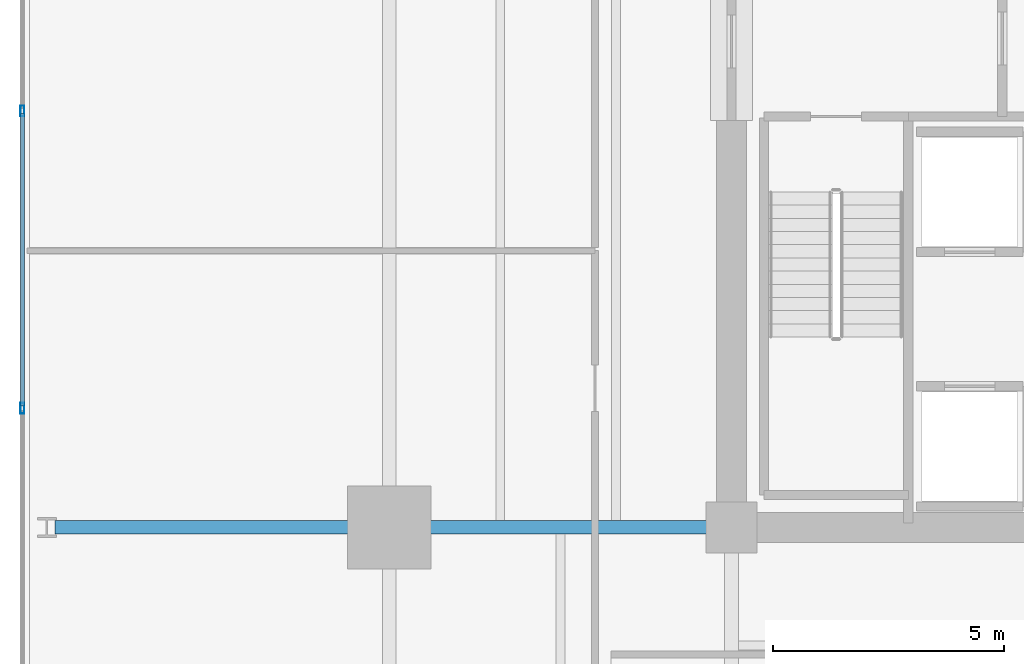
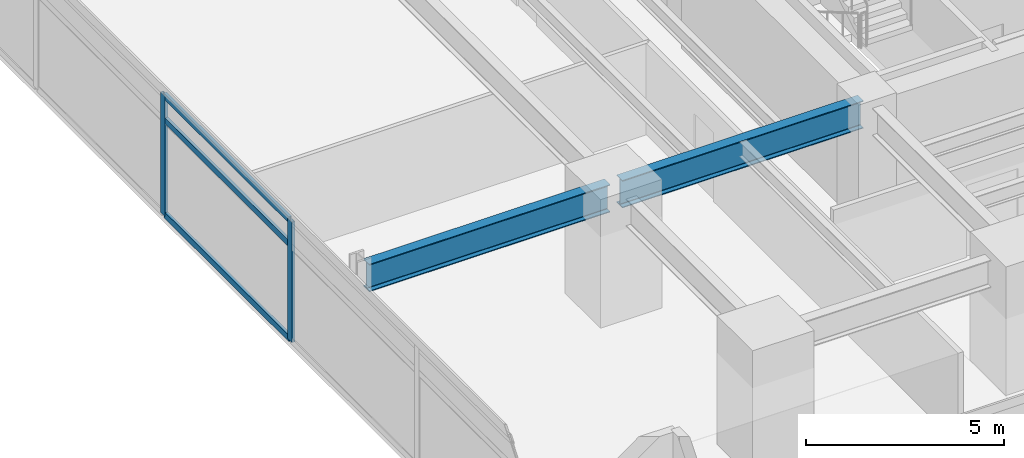
# One storey, part 4 of 21: 5 members, 2 beams, 1 element without a shape of its own.
"""IFC4 building model written with IfcOpenShell, lengths in metres."""

from ifc_helpers import new_model, si_unit, direction, frame, origin, origin_2d, place, context, subcontext, project, spatial, hollow_rectangle, i_section, extrude, material, material_profile, profile_set, type_object, element, aggregate, save


model = new_model("IFC4")

# Units and contexts
model_context = context("Model", 3, precision=1e-05, world=origin(), true_north=direction((0.0, 1.0)))
body_context = subcontext(model_context, "Body", "Model", "MODEL_VIEW")
ifc_project = project(units=[si_unit("LENGTHUNIT", "METRE"), si_unit("AREAUNIT", "SQUARE_METRE"), si_unit("VOLUMEUNIT", "CUBIC_METRE"), si_unit("PLANEANGLEUNIT", "RADIAN"), si_unit("MASSUNIT", "GRAM", prefix="KILO")], contexts=[model_context])

# Site, building, storey
site_placement = place(None, origin())
site = spatial("IfcSite", under=ifc_project, at=site_placement, CompositionType="ELEMENT")
building_placement = place(site_placement, origin())
building = spatial("IfcBuilding", under=site, at=building_placement, Name="Kovane Verandah Tower", CompositionType="ELEMENT")
storey_placement = place(building_placement, frame((0.0, 0.0, 87.60009765625)))
storey = spatial("IfcBuildingStorey", under=building, at=storey_placement, Name="L20", CompositionType="ELEMENT", Elevation=87.60009765625)

# Beams
ifc_material_1 = material(Name="Steel S355", Category="steel")
ifc_material_profile_1 = material_profile(ifc_material_1, i_section(OverallWidth=0.293701171875, OverallDepth=0.850830078125, WebThickness=0.01611328125, FlangeThickness=0.02685546875, FilletRadius=0.017822265625, at=origin_2d()), Name="UB838x292x226")
ifc_profile_set_1 = profile_set([ifc_material_profile_1], Name="Steel S355")
beam_type = type_object("IfcBeamType", Name="BM-UB838x226", PredefinedType="BEAM", material=ifc_profile_set_1)
for number, where, z_axis, x_axis, name in (
    (1, (28.820068359375, 18.5, 3.33447265625), (-1.0, 0.0, 0.0), (0.0, -1.0, 0.0), "L20 Primary Tower Girder G-W1"),
    (2, (21.419921875, 18.5, 3.33447265625), (-1.0, 0.0, 0.0), (0.0, -1.0, 0.0), "L20 Primary Tower Girder G-VW1"),
):
    element("IfcBeam", number, at=place(storey_placement, frame(where, z_axis=z_axis, x_axis=x_axis)), inside=storey, type_object=beam_type, Name=name, PredefinedType="BEAM", context=body_context, shape_type="SweptSolid", body=[
        extrude(i_section(OverallWidth=0.293701171875, OverallDepth=0.850830078125, WebThickness=0.01611328125, FlangeThickness=0.02685546875, FilletRadius=0.017822265625, at=origin_2d()), origin(), (0.0, 0.0, 1.0), 7.0400390625),
    ])

# Curtain wall, members
ifc_material_2 = material(Name="Champagne Anodised Aluminium Frame with Low-E Clear Laminated Glass", Category="aluminium")
curtain_wall_type = type_object("IfcCurtainWallType", Name="CW-SYS-02-LOW", PredefinedType="NOTDEFINED", material=ifc_material_2)
curtain_wall_placement = place(storey_placement, origin())
curtain_wall = element("IfcCurtainWall", 3, at=curtain_wall_placement, inside=storey, type_object=curtain_wall_type, Name="L20 W Unitised Curtain Wall", PredefinedType="NOTDEFINED")
ifc_material_3 = material(Name="Champagne Anodised Aluminium 6063-T6", Category="aluminium")
ifc_material_profile_2 = material_profile(ifc_material_3, hollow_rectangle(XDim=0.0849609375, YDim=0.22998046875, WallThickness=0.00390625, at=origin_2d()), Name="AL85x230x4")
ifc_profile_set_2 = profile_set([ifc_material_profile_2], Name="Champagne Anodised Aluminium 6063-T6")
member_type_1 = type_object("IfcMemberType", Name="CW-MUL-85x230", PredefinedType="MULLION", material=ifc_profile_set_2)
member_1_placement = place(storey_placement, frame((13.670166015625, 27.5, 0.02001953125), z_axis=(0.0, 0.0, 1.0), x_axis=(-1.0, 0.0, 0.0)))
member_1 = element("IfcMember", 4, at=member_1_placement, type_object=member_type_1, Name="L20 W Unitised Curtain Wall Mullion 4", PredefinedType="MULLION", context=body_context, shape_type="SweptSolid", body=[
    extrude(hollow_rectangle(XDim=0.0849609375, YDim=0.22998046875, WallThickness=0.00390625, at=origin_2d()), origin(), (0.0, 0.0, 1.0), 3.719970703125),
])
member_2_placement = place(storey_placement, frame((13.670166015625, 21.076416015625, 0.02001953125), z_axis=(0.0, 0.0, 1.0), x_axis=(-1.0, 0.0, 0.0)))
member_2 = element("IfcMember", 5, at=member_2_placement, type_object=member_type_1, Name="L20 W Unitised Curtain Wall Mullion 5", PredefinedType="MULLION", context=body_context, shape_type="SweptSolid", body=[
    extrude(hollow_rectangle(XDim=0.0849609375, YDim=0.22998046875, WallThickness=0.00390625, at=origin_2d()), origin(), (0.0, 0.0, 1.0), 3.719970703125),
])
ifc_material_profile_3 = material_profile(ifc_material_3, hollow_rectangle(XDim=0.0849609375, YDim=0.18994140625, WallThickness=0.00390625, at=origin_2d()), Name="AL85x190x4")
ifc_profile_set_3 = profile_set([ifc_material_profile_3], Name="Champagne Anodised Aluminium 6063-T6")
member_type_2 = type_object("IfcMemberType", Name="CW-TRN-85x190", PredefinedType="USERDEFINED", material=ifc_profile_set_3)
member_3_placement = place(storey_placement, frame((13.670166015625, 27.449951171875, 0.0498046875), z_axis=(0.0, -1.0, 0.0), x_axis=(1.0, 0.0, 0.0)))
member_3 = element("IfcMember", 6, at=member_3_placement, type_object=member_type_2, Name="L20 W Unitised Curtain Wall Transom TB Bay 4", ObjectType="TRANSOM", PredefinedType="USERDEFINED", context=body_context, shape_type="SweptSolid", body=[
    extrude(hollow_rectangle(XDim=0.0849609375, YDim=0.18994140625, WallThickness=0.00390625, at=origin_2d()), origin(), (0.0, 0.0, 1.0), 6.323486328125),
])
member_4_placement = place(storey_placement, frame((13.670166015625, 27.449951171875, 2.97998046875), z_axis=(0.0, -1.0, 0.0), x_axis=(1.0, 0.0, 0.0)))
member_4 = element("IfcMember", 7, at=member_4_placement, type_object=member_type_2, Name="L20 W Unitised Curtain Wall Transom TM Bay 4", ObjectType="TRANSOM", PredefinedType="USERDEFINED", context=body_context, shape_type="SweptSolid", body=[
    extrude(hollow_rectangle(XDim=0.0849609375, YDim=0.18994140625, WallThickness=0.00390625, at=origin_2d()), origin(), (0.0, 0.0, 1.0), 6.323486328125),
])
member_5_placement = place(storey_placement, frame((13.670166015625, 27.449951171875, 3.7099609375), z_axis=(0.0, -1.0, 0.0), x_axis=(1.0, 0.0, 0.0)))
member_5 = element("IfcMember", 8, at=member_5_placement, type_object=member_type_2, Name="L20 W Unitised Curtain Wall Transom TT Bay 4", ObjectType="TRANSOM", PredefinedType="USERDEFINED", context=body_context, shape_type="SweptSolid", body=[
    extrude(hollow_rectangle(XDim=0.0849609375, YDim=0.18994140625, WallThickness=0.00390625, at=origin_2d()), origin(), (0.0, 0.0, 1.0), 6.323486328125),
])
aggregate(curtain_wall, [member_1, member_2, member_3, member_4, member_5])

save(model, "model.ifc")
